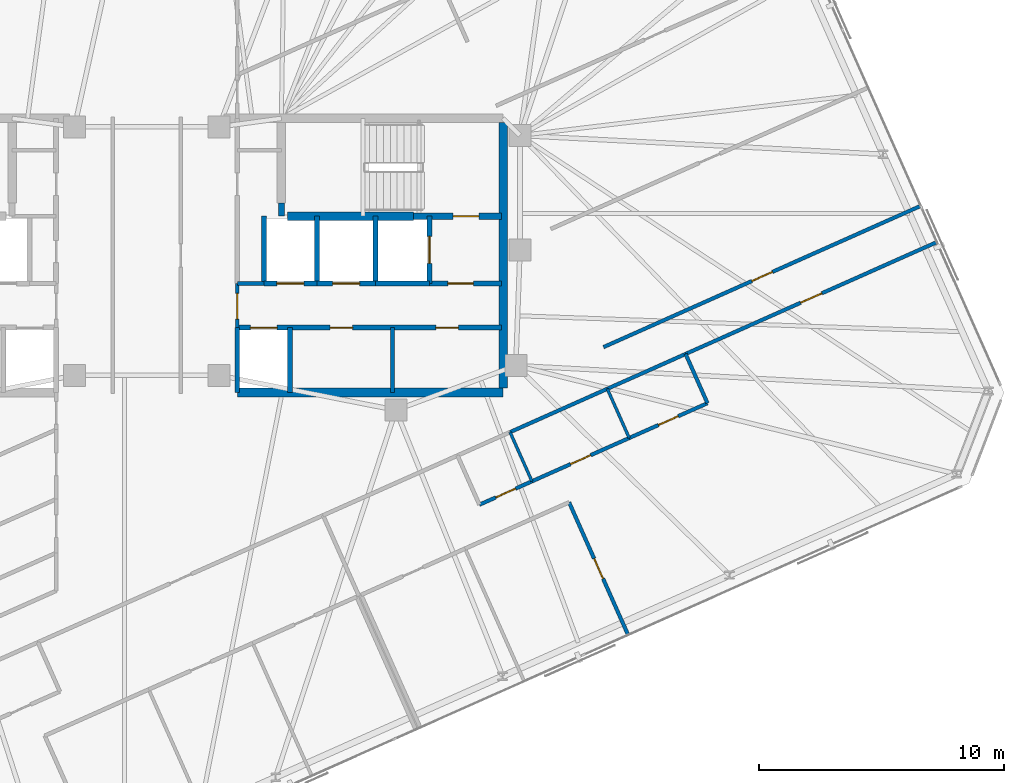
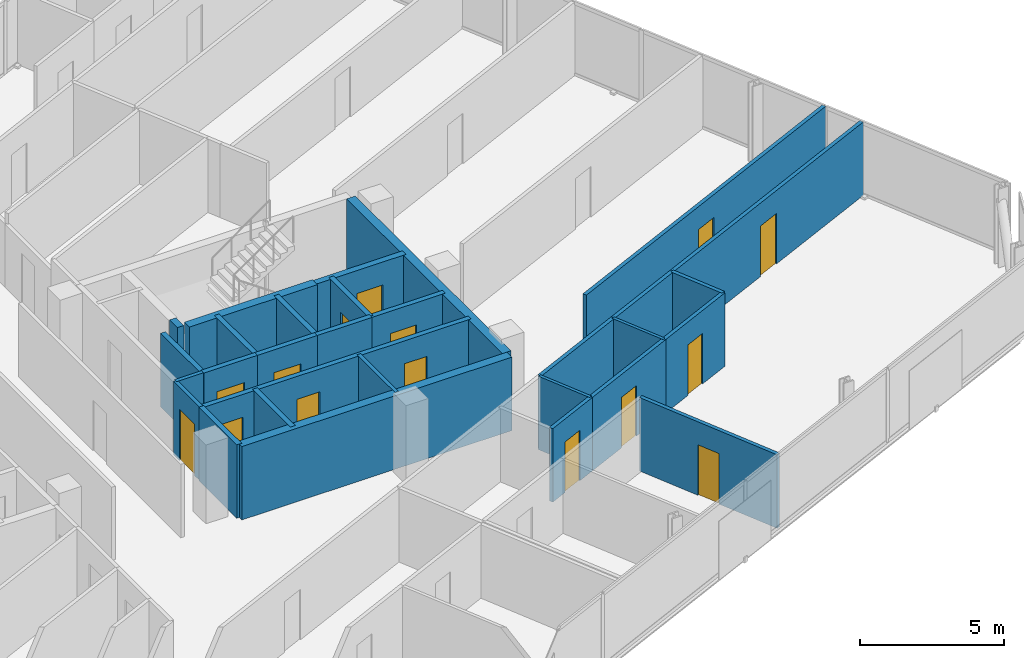
# One storey, part 15 of 19: 30 walls, 15 doors, 15 openings.
"""IFC4 building model written with IfcOpenShell, lengths in metres."""

from ifc_helpers import new_model, si_unit, direction, frame, frame_2d, origin, place, context, subcontext, project, spatial, rectangle, extrude, material, layer, layer_set, type_object, element, fill, save


model = new_model("IFC4")

# Units and contexts
model_context = context("Model", 3, precision=1e-05, world=origin(), true_north=direction((0.0, 1.0)))
body_context = subcontext(model_context, "Body", "Model", "MODEL_VIEW")
ifc_project = project(units=[si_unit("LENGTHUNIT", "METRE"), si_unit("AREAUNIT", "SQUARE_METRE"), si_unit("VOLUMEUNIT", "CUBIC_METRE"), si_unit("PLANEANGLEUNIT", "RADIAN"), si_unit("MASSUNIT", "GRAM", prefix="KILO")], contexts=[model_context])

# Site, building, storey
site_placement = place(None, origin())
site = spatial("IfcSite", under=ifc_project, at=site_placement, CompositionType="ELEMENT")
building_placement = place(site_placement, origin())
building = spatial("IfcBuilding", under=site, at=building_placement, Name="Menara Jurai Vektor", CompositionType="ELEMENT")
storey_placement = place(building_placement, frame((0.0, 0.0, 281.89990234375)))
storey = spatial("IfcBuildingStorey", under=building, at=storey_placement, Name="L75", CompositionType="ELEMENT", Elevation=281.89990234375)

# Wall, opening, door
ifc_material_1 = material(Name="Concrete C40/50", Category="concrete")
ifc_layer_1 = layer(ifc_material_1, 0.25)
ifc_layer_set_1 = layer_set([ifc_layer_1], Name="Concrete C40/50")
wall_type_1 = type_object("IfcWallType", Name="INT-WALL-CORE-250", PredefinedType="STANDARD", material=ifc_layer_set_1)
wall_1_placement = place(storey_placement, frame((10.89990234375, 1.60009765625, 0.0), z_axis=(0.0, 0.0, 1.0), x_axis=(1.0, 0.0, 0.0)))
wall_1 = element("IfcWall", 1, at=wall_1_placement, inside=storey, type_object=wall_type_1, Name="Interior Wall IW-250 L75", PredefinedType="STANDARD", context=body_context, shape_type="SweptSolid", body=[
    extrude(rectangle(XDim=3.60009765625, YDim=0.25, at=frame_2d((1.800048828125, 0.0))), origin(), (0.0, 0.0, 1.0), 3.125),
])
opening_1_placement = place(wall_1_placement, frame((1.6201171875, 0.0, 0.0)))
opening_1 = element("IfcOpeningElement", 2, at=opening_1_placement, cuts=wall_1, Name="Opening D-L75-ST2", PredefinedType="OPENING", context=body_context, shape_type="SweptSolid", body=[
    extrude(rectangle(XDim=1.050048828125, YDim=2.14990234375, at=frame_2d((0.52490234375, 1.074951171875))), frame((0.0, 0.135009765625, 0.0), z_axis=(0.0, -1.0, 0.0), x_axis=(1.0, 0.0, 0.0)), (0.0, 0.0, 1.0), 0.27001953125),
])
ifc_material_2 = material(Name="Fire-Rated Steel Door", Category="steel")
door_type_1 = type_object("IfcDoorType", Name="DR-STAIR-1050", OperationType="NOTDEFINED", PredefinedType="DOOR", material=ifc_material_2)
door_1_placement = place(opening_1_placement, origin())
door_1 = element("IfcDoor", 3, at=door_1_placement, inside=storey, type_object=door_type_1, Name="Exit Stair ST2 Door L75", OperationType="SINGLE_SWING_LEFT", OverallHeight=2.14990234375, OverallWidth=1.050048828125, PredefinedType="DOOR", context=body_context, shape_type="SweptSolid", body=[
    extrude(rectangle(XDim=1.050048828125, YDim=2.14990234375, at=frame_2d((0.52490234375, 1.074951171875))), frame((0.0, 0.02490234375, 0.0), z_axis=(0.0, -1.0, 0.0), x_axis=(1.0, 0.0, 0.0)), (0.0, 0.0, 1.0), 0.050048828125),
])
fill(opening_1, door_1)

# Wall
wall_2_placement = place(storey_placement, frame((5.5, 1.60009765625, 0.0), z_axis=(0.0, 0.0, 1.0), x_axis=(0.0, 1.0, 0.0)))
element("IfcWall", 4, at=wall_2_placement, inside=storey, type_object=wall_type_1, Name="Interior Wall IW-250 L75", PredefinedType="STANDARD", context=body_context, shape_type="SweptSolid", body=[
    extrude(rectangle(XDim=0.5498046875, YDim=0.25, at=frame_2d((0.27490234375, 0.0))), origin(), (0.0, 0.0, 1.0), 3.125),
])

# Wall, opening, door
wall_3_placement = place(storey_placement, frame((11.550048828125, -1.14990234375, 0.0), z_axis=(0.0, 0.0, 1.0), x_axis=(0.0, 1.0, 0.0)))
wall_3 = element("IfcWall", 5, at=wall_3_placement, inside=storey, type_object=wall_type_1, Name="Interior Wall IW-250 L75", PredefinedType="STANDARD", context=body_context, shape_type="SweptSolid", body=[
    extrude(rectangle(XDim=2.75, YDim=0.199951171875, at=frame_2d((1.375, 0.0))), origin(), (0.0, 0.0, 1.0), 3.125),
])
opening_2_placement = place(wall_3_placement, frame((0.824951171875, 0.0, 0.0)))
opening_2 = element("IfcOpeningElement", 6, at=opening_2_placement, cuts=wall_3, Name="Opening LD-L75-FL2", PredefinedType="OPENING", context=body_context, shape_type="SweptSolid", body=[
    extrude(rectangle(XDim=1.10009765625, YDim=2.14990234375, at=frame_2d((0.550048828125, 1.074951171875))), frame((0.0, 0.10986328125, 0.0), z_axis=(0.0, -1.0, 0.0), x_axis=(1.0, 0.0, 0.0)), (0.0, 0.0, 1.0), 0.219970703125),
])
ifc_material_3 = material(Name="Stainless Steel Sliding Lift Landing Door", Category="steel")
door_type_2 = type_object("IfcDoorType", Name="DR-LIFT-FIRE-1100", OperationType="NOTDEFINED", PredefinedType="DOOR", material=ifc_material_3)
door_2_placement = place(opening_2_placement, origin())
door_2 = element("IfcDoor", 7, at=door_2_placement, inside=storey, type_object=door_type_2, Name="Lift Landing Door FL2 L75", OperationType="SLIDING_TO_RIGHT", OverallHeight=2.14990234375, OverallWidth=1.10009765625, PredefinedType="DOOR", context=body_context, shape_type="SweptSolid", body=[
    extrude(rectangle(XDim=1.10009765625, YDim=2.14990234375, at=frame_2d((0.550048828125, 1.074951171875))), frame((0.0, 0.02490234375, 0.0), z_axis=(0.0, -1.0, 0.0), x_axis=(1.0, 0.0, 0.0)), (0.0, 0.0, 1.0), 0.050048828125),
])
fill(opening_2, door_2)

# Wall
wall_4_placement = place(storey_placement, frame((9.35009765625, -1.14990234375, 0.0), z_axis=(0.0, 0.0, 1.0), x_axis=(0.0, 1.0, 0.0)))
element("IfcWall", 8, at=wall_4_placement, inside=storey, type_object=wall_type_1, Name="Interior Wall IW-250 L75", PredefinedType="STANDARD", context=body_context, shape_type="SweptSolid", body=[
    extrude(rectangle(XDim=2.75, YDim=0.199951171875, at=frame_2d((1.375, 0.0))), origin(), (0.0, 0.0, 1.0), 3.125),
])

# Wall, opening, door
wall_5_placement = place(storey_placement, frame((11.550048828125, -1.14990234375, 0.0), z_axis=(0.0, 0.0, 1.0), x_axis=(1.0, 0.0, 0.0)))
wall_5 = element("IfcWall", 9, at=wall_5_placement, inside=storey, type_object=wall_type_1, Name="Interior Wall IW-250 L75", PredefinedType="STANDARD", context=body_context, shape_type="SweptSolid", body=[
    extrude(rectangle(XDim=2.949951171875, YDim=0.199951171875, at=frame_2d((1.47509765625, 0.0))), origin(), (0.0, 0.0, 1.0), 3.125),
])
opening_3_placement = place(wall_5_placement, frame((0.75, 0.0, 0.0)))
opening_3 = element("IfcOpeningElement", 10, at=opening_3_placement, cuts=wall_5, Name="Opening D-L75-FFE", PredefinedType="OPENING", context=body_context, shape_type="SweptSolid", body=[
    extrude(rectangle(XDim=1.050048828125, YDim=2.179931640625, at=frame_2d((0.52490234375, 1.08984375))), frame((0.0, 0.10986328125, 0.0), z_axis=(0.0, -1.0, 0.0), x_axis=(1.0, 0.0, 0.0)), (0.0, 0.0, 1.0), 0.219970703125),
])
ifc_material_4 = material(Name="Fire-Rated Timber Door", Category="wood")
door_type_3 = type_object("IfcDoorType", Name="DR-LOBBY-1050", OperationType="NOTDEFINED", PredefinedType="DOOR", material=ifc_material_4)
door_3_placement = place(opening_3_placement, origin())
door_3 = element("IfcDoor", 11, at=door_3_placement, inside=storey, type_object=door_type_3, Name="Fire Lift Lobby Door E L75", OperationType="SINGLE_SWING_LEFT", OverallHeight=2.179931640625, OverallWidth=1.050048828125, PredefinedType="DOOR", context=body_context, shape_type="SweptSolid", body=[
    extrude(rectangle(XDim=1.050048828125, YDim=2.179931640625, at=frame_2d((0.52490234375, 1.08984375))), frame((0.0, 0.02490234375, 0.0), z_axis=(0.0, -1.0, 0.0), x_axis=(1.0, 0.0, 0.0)), (0.0, 0.0, 1.0), 0.050048828125),
])
fill(opening_3, door_3)

# Wall
wall_6_placement = place(storey_placement, frame((9.35009765625, -1.14990234375, 0.0), z_axis=(0.0, 0.0, 1.0), x_axis=(1.0, 0.0, 0.0)))
element("IfcWall", 12, at=wall_6_placement, inside=storey, type_object=wall_type_1, Name="Interior Wall IW-250 L75", PredefinedType="STANDARD", context=body_context, shape_type="SweptSolid", body=[
    extrude(rectangle(XDim=2.199951171875, YDim=0.199951171875, at=frame_2d((1.10009765625, 0.0))), origin(), (0.0, 0.0, 1.0), 3.125),
])

# Wall, opening, door
ifc_material_5 = material(Name="Gypsum Fireboard Partition", Category="gypsum")
ifc_layer_2 = layer(ifc_material_5, 0.14990234375)
ifc_layer_set_2 = layer_set([ifc_layer_2], Name="Gypsum Fireboard Partition")
wall_type_2 = type_object("IfcWallType", Name="INT-WALL-CORR-150", PredefinedType="PARTITIONING", material=ifc_layer_set_2)
wall_7_placement = place(storey_placement, frame((3.699951171875, -2.949951171875, 0.0), z_axis=(0.0, 0.0, 1.0), x_axis=(0.0, 1.0, 0.0)))
wall_7 = element("IfcWall", 13, at=wall_7_placement, inside=storey, type_object=wall_type_2, Name="Interior Wall IW-150 L75", PredefinedType="PARTITIONING", context=body_context, shape_type="SweptSolid", body=[
    extrude(rectangle(XDim=1.800048828125, YDim=0.14990234375, at=frame_2d((0.89990234375, 0.0))), origin(), (0.0, 0.0, 1.0), 3.125),
])
opening_4_placement = place(wall_7_placement, frame((0.35009765625, 0.0, 0.0)))
opening_4 = element("IfcOpeningElement", 14, at=opening_4_placement, cuts=wall_7, Name="Opening D-L75-LLE", PredefinedType="OPENING", context=body_context, shape_type="SweptSolid", body=[
    extrude(rectangle(XDim=1.050048828125, YDim=2.179931640625, at=frame_2d((0.52490234375, 1.08984375))), frame((0.0, 0.0849609375, 0.0), z_axis=(0.0, -1.0, 0.0), x_axis=(1.0, 0.0, 0.0)), (0.0, 0.0, 1.0), 0.169921875),
])
door_4_placement = place(opening_4_placement, frame((1.050048828125, 0.0, 0.0), z_axis=(0.0, 0.0, 1.0), x_axis=(-1.0, 0.0, 0.0)))
door_4 = element("IfcDoor", 15, at=door_4_placement, inside=storey, type_object=door_type_3, Name="Lift Lobby Corridor Door E L75", OperationType="SINGLE_SWING_RIGHT", OverallHeight=2.179931640625, OverallWidth=1.050048828125, PredefinedType="DOOR", context=body_context, shape_type="SweptSolid", body=[
    extrude(rectangle(XDim=1.050048828125, YDim=2.179931640625, at=frame_2d((0.52490234375, 1.08984375))), frame((0.0, 0.02490234375, 0.0), z_axis=(0.0, -1.0, 0.0), x_axis=(1.0, 0.0, 0.0)), (0.0, 0.0, 1.0), 0.050048828125),
])
fill(opening_4, door_4)

# Walls
wall_8_placement = place(storey_placement, frame((3.699951171875, -1.14990234375, 0.0), z_axis=(0.0, 0.0, 1.0), x_axis=(1.0, 0.0, 0.0)))
element("IfcWall", 16, at=wall_8_placement, inside=storey, type_object=wall_type_2, Name="Interior Wall IW-150 L75", PredefinedType="PARTITIONING", context=body_context, shape_type="SweptSolid", body=[
    extrude(rectangle(XDim=1.090087890625, YDim=0.14990234375, at=frame_2d((0.544921875, 0.0))), origin(), (0.0, 0.0, 1.0), 3.125),
])
wall_9_placement = place(storey_placement, frame((10.0400390625, -5.60009765625, 0.0), z_axis=(0.0, 0.0, 1.0), x_axis=(0.0, 1.0, 0.0)))
element("IfcWall", 17, at=wall_9_placement, inside=storey, type_object=wall_type_2, Name="Interior Wall IW-150 L75", PredefinedType="PARTITIONING", context=body_context, shape_type="SweptSolid", body=[
    extrude(rectangle(XDim=2.650146484375, YDim=0.14990234375, at=frame_2d((1.3251953125, 0.0))), origin(), (0.0, 0.0, 1.0), 3.125),
])

# Wall, opening, door
wall_10_placement = place(storey_placement, frame((22.015625, -4.027099609375, 0.0), z_axis=(0.0, 0.0, 1.0), x_axis=(0.913548968583, 0.406728757282, 0.0)))
wall_10 = element("IfcWall", 18, at=wall_10_placement, inside=storey, type_object=wall_type_2, Name="Interior Wall IW-150 L75", PredefinedType="PARTITIONING", context=body_context, shape_type="SweptSolid", body=[
    extrude(rectangle(XDim=11.2421875, YDim=0.14990234375, at=frame_2d((5.62109375, 0.0))), origin(), (0.0, 0.0, 1.0), 3.125),
])
opening_5_placement = place(wall_10_placement, frame((5.14599609375, 0.0, 0.0)))
opening_5 = element("IfcOpeningElement", 19, at=opening_5_placement, cuts=wall_10, Name="Opening D75-19", PredefinedType="OPENING", context=body_context, shape_type="SweptSolid", body=[
    extrude(rectangle(XDim=0.949951171875, YDim=2.14990234375, at=frame_2d((0.47509765625, 1.074951171875))), frame((0.0, 0.0849609375, 0.0), z_axis=(0.0, -1.0, 0.0), x_axis=(1.0, 0.0, 0.0)), (0.0, 0.0, 1.0), 0.169921875),
])
ifc_material_6 = material(Name="Solid Core Timber Fire Door", Category="wood")
door_type_4 = type_object("IfcDoorType", Name="DR-ENTRY-950", OperationType="NOTDEFINED", PredefinedType="DOOR", material=ifc_material_6)
door_5_placement = place(opening_5_placement, origin())
door_5 = element("IfcDoor", 20, at=door_5_placement, inside=storey, type_object=door_type_4, Name="Interior Door D75-19", OperationType="SINGLE_SWING_RIGHT", OverallHeight=2.14990234375, OverallWidth=0.949951171875, PredefinedType="DOOR", context=body_context, shape_type="SweptSolid", body=[
    extrude(rectangle(XDim=0.949951171875, YDim=2.14990234375, at=frame_2d((0.47509765625, 1.074951171875))), frame((0.0, 0.02490234375, 0.0), z_axis=(0.0, -1.0, 0.0), x_axis=(1.0, 0.0, 0.0)), (0.0, 0.0, 1.0), 0.050048828125),
])
fill(opening_5, door_5)

# Walls
wall_11_placement = place(storey_placement, frame((14.844482421875, -7.22021484375, 0.0), z_axis=(0.0, 0.0, 1.0), x_axis=(0.913524337797, 0.406784075711, 0.0)))
element("IfcWall", 21, at=wall_11_placement, inside=storey, type_object=wall_type_2, Name="Interior Wall IW-150 L75", PredefinedType="PARTITIONING", context=body_context, shape_type="SweptSolid", body=[
    extrude(rectangle(XDim=4.35009765625, YDim=0.14990234375, at=frame_2d((2.175048828125, 0.0))), origin(), (0.0, 0.0, 1.0), 3.125),
])
wall_12_placement = place(storey_placement, frame((18.818359375, -5.45068359375, 0.0), z_axis=(0.0, 0.0, 1.0), x_axis=(0.913538066796, 0.406753242783, 0.0)))
element("IfcWall", 22, at=wall_12_placement, inside=storey, type_object=wall_type_2, Name="Interior Wall IW-150 L75", PredefinedType="PARTITIONING", context=body_context, shape_type="SweptSolid", body=[
    extrude(rectangle(XDim=3.499755859375, YDim=0.14990234375, at=frame_2d((1.75, 0.0))), origin(), (0.0, 0.0, 1.0), 3.125),
])

# Wall, opening, door
wall_13_placement = place(storey_placement, frame((18.661865234375, -3.747314453125, 0.0), z_axis=(0.0, 0.0, 1.0), x_axis=(0.913544622417, 0.406738519018, 0.0)))
wall_13 = element("IfcWall", 23, at=wall_13_placement, inside=storey, type_object=wall_type_2, Name="Interior Wall IW-150 L75", PredefinedType="PARTITIONING", context=body_context, shape_type="SweptSolid", body=[
    extrude(rectangle(XDim=14.192138671875, YDim=0.14990234375, at=frame_2d((7.09619140625, 0.0))), origin(), (0.0, 0.0, 1.0), 3.125),
])
opening_6_placement = place(wall_13_placement, frame((6.635986328125, 0.0, 0.0)))
opening_6 = element("IfcOpeningElement", 24, at=opening_6_placement, cuts=wall_13, Name="Opening D75-42", PredefinedType="OPENING", context=body_context, shape_type="SweptSolid", body=[
    extrude(rectangle(XDim=0.919921875, YDim=2.14990234375, at=frame_2d((0.4599609375, 1.074951171875))), frame((0.0, 0.0849609375, 0.0), z_axis=(0.0, -1.0, 0.0), x_axis=(1.0, 0.0, 0.0)), (0.0, 0.0, 1.0), 0.169921875),
])
door_6_placement = place(opening_6_placement, origin())
door_6 = element("IfcDoor", 25, at=door_6_placement, inside=storey, type_object=door_type_4, Name="Interior Door D75-42", OperationType="SINGLE_SWING_LEFT", OverallHeight=2.14990234375, OverallWidth=0.919921875, PredefinedType="DOOR", context=body_context, shape_type="SweptSolid", body=[
    extrude(rectangle(XDim=0.919921875, YDim=2.14990234375, at=frame_2d((0.4599609375, 1.074951171875))), frame((0.0, 0.02490234375, 0.0), z_axis=(0.0, -1.0, 0.0), x_axis=(1.0, 0.0, 0.0)), (0.0, 0.0, 1.0), 0.050048828125),
])
fill(opening_6, door_6)

wall_14_placement = place(storey_placement, frame((13.59228515625, -10.185791015625, 0.0), z_axis=(0.0, 0.0, 1.0), x_axis=(0.913558622212, 0.406707073682, 0.0)))
wall_14 = element("IfcWall", 26, at=wall_14_placement, inside=storey, type_object=wall_type_2, Name="Interior Wall IW-150 L75", PredefinedType="PARTITIONING", context=body_context, shape_type="SweptSolid", body=[
    extrude(rectangle(XDim=2.35009765625, YDim=0.14990234375, at=frame_2d((1.175048828125, 0.0))), origin(), (0.0, 0.0, 1.0), 3.125),
])
opening_7_placement = place(wall_14_placement, frame((0.735107421875, 0.0, 0.0)))
opening_7 = element("IfcOpeningElement", 27, at=opening_7_placement, cuts=wall_14, Name="Opening D75-20", PredefinedType="OPENING", context=body_context, shape_type="SweptSolid", body=[
    extrude(rectangle(XDim=0.8798828125, YDim=2.14990234375, at=frame_2d((0.43994140625, 1.074951171875))), frame((0.0, 0.0849609375, 0.0), z_axis=(0.0, -1.0, 0.0), x_axis=(1.0, 0.0, 0.0)), (0.0, 0.0, 1.0), 0.169921875),
])
ifc_material_7 = material(Name="Moisture-Resistant Timber Door", Category="wood")
door_type_5 = type_object("IfcDoorType", Name="DR-BATH-880", OperationType="NOTDEFINED", PredefinedType="DOOR", material=ifc_material_7)
door_7_placement = place(opening_7_placement, origin())
door_7 = element("IfcDoor", 28, at=door_7_placement, inside=storey, type_object=door_type_5, Name="Interior Door D75-20", OperationType="SINGLE_SWING_LEFT", OverallHeight=2.14990234375, OverallWidth=0.8798828125, PredefinedType="DOOR", context=body_context, shape_type="SweptSolid", body=[
    extrude(rectangle(XDim=0.8798828125, YDim=2.14990234375, at=frame_2d((0.43994140625, 1.074951171875))), frame((0.0, 0.02490234375, 0.0), z_axis=(0.0, -1.0, 0.0), x_axis=(1.0, 0.0, 0.0)), (0.0, 0.0, 1.0), 0.050048828125),
])
fill(opening_7, door_7)

wall_15_placement = place(storey_placement, frame((15.7392578125, -9.22998046875, 0.0), z_axis=(0.0, 0.0, 1.0), x_axis=(0.913545193015, 0.406737237438, 0.0)))
wall_15 = element("IfcWall", 29, at=wall_15_placement, inside=storey, type_object=wall_type_2, Name="Interior Wall IW-150 L75", PredefinedType="PARTITIONING", context=body_context, shape_type="SweptSolid", body=[
    extrude(rectangle(XDim=4.349853515625, YDim=0.14990234375, at=frame_2d((2.1748046875, 0.0))), origin(), (0.0, 0.0, 1.0), 3.125),
])
opening_8_placement = place(wall_15_placement, frame((1.72509765625, 0.0, 0.0)))
opening_8 = element("IfcOpeningElement", 30, at=opening_8_placement, cuts=wall_15, Name="Opening D75-21", PredefinedType="OPENING", context=body_context, shape_type="SweptSolid", body=[
    extrude(rectangle(XDim=0.89990234375, YDim=2.14990234375, at=frame_2d((0.449951171875, 1.074951171875))), frame((0.0, 0.0849609375, 0.0), z_axis=(0.0, -1.0, 0.0), x_axis=(1.0, 0.0, 0.0)), (0.0, 0.0, 1.0), 0.169921875),
])
ifc_material_8 = material(Name="Acoustic Timber Interior Door", Category="wood")
door_type_6 = type_object("IfcDoorType", Name="DR-ROOM-900", OperationType="NOTDEFINED", PredefinedType="DOOR", material=ifc_material_8)
door_8_placement = place(opening_8_placement, origin())
door_8 = element("IfcDoor", 31, at=door_8_placement, inside=storey, type_object=door_type_6, Name="Interior Door D75-21", OperationType="SINGLE_SWING_RIGHT", OverallHeight=2.14990234375, OverallWidth=0.89990234375, PredefinedType="DOOR", context=body_context, shape_type="SweptSolid", body=[
    extrude(rectangle(XDim=0.89990234375, YDim=2.14990234375, at=frame_2d((0.449951171875, 1.074951171875))), frame((0.0, 0.02490234375, 0.0), z_axis=(0.0, -1.0, 0.0), x_axis=(1.0, 0.0, 0.0)), (0.0, 0.0, 1.0), 0.050048828125),
])
fill(opening_8, door_8)

wall_16_placement = place(storey_placement, frame((19.713134765625, -7.460693359375, 0.0), z_axis=(0.0, 0.0, 1.0), x_axis=(0.913549606868, 0.406727323635, 0.0)))
wall_16 = element("IfcWall", 32, at=wall_16_placement, inside=storey, type_object=wall_type_2, Name="Interior Wall IW-150 L75", PredefinedType="PARTITIONING", context=body_context, shape_type="SweptSolid", body=[
    extrude(rectangle(XDim=3.5, YDim=0.14990234375, at=frame_2d((1.75, 0.0))), origin(), (0.0, 0.0, 1.0), 3.125),
])
opening_9_placement = place(wall_16_placement, frame((1.31005859375, 0.0, 0.0)))
opening_9 = element("IfcOpeningElement", 33, at=opening_9_placement, cuts=wall_16, Name="Opening D75-22", PredefinedType="OPENING", context=body_context, shape_type="SweptSolid", body=[
    extrude(rectangle(XDim=0.8798828125, YDim=2.14990234375, at=frame_2d((0.43994140625, 1.074951171875))), frame((0.0, 0.0849609375, 0.0), z_axis=(0.0, -1.0, 0.0), x_axis=(1.0, 0.0, 0.0)), (0.0, 0.0, 1.0), 0.169921875),
])
door_9_placement = place(opening_9_placement, origin())
door_9 = element("IfcDoor", 34, at=door_9_placement, inside=storey, type_object=door_type_5, Name="Interior Door D75-22", OperationType="SINGLE_SWING_LEFT", OverallHeight=2.14990234375, OverallWidth=0.8798828125, PredefinedType="DOOR", context=body_context, shape_type="SweptSolid", body=[
    extrude(rectangle(XDim=0.8798828125, YDim=2.14990234375, at=frame_2d((0.43994140625, 1.074951171875))), frame((0.0, 0.02490234375, 0.0), z_axis=(0.0, -1.0, 0.0), x_axis=(1.0, 0.0, 0.0)), (0.0, 0.0, 1.0), 0.050048828125),
])
fill(opening_9, door_9)

# Wall
wall_17_placement = place(storey_placement, frame((22.91064453125, -6.037109375, 0.0), z_axis=(0.0, 0.0, 1.0), x_axis=(-0.40677666873, 0.913527636022, 0.0)))
element("IfcWall", 35, at=wall_17_placement, inside=storey, type_object=wall_type_2, Name="Interior Wall IW-150 L75", PredefinedType="PARTITIONING", context=body_context, shape_type="SweptSolid", body=[
    extrude(rectangle(XDim=2.2001953125, YDim=0.14990234375, at=frame_2d((1.10009765625, 0.0))), origin(), (0.0, 0.0, 1.0), 3.125),
])

# Wall, opening, door
wall_18_placement = place(storey_placement, frame((19.669189453125, -15.509521484375, 0.0), z_axis=(0.0, 0.0, 1.0), x_axis=(-0.406733763825, 0.913546739562, 0.0)))
wall_18 = element("IfcWall", 36, at=wall_18_placement, inside=storey, type_object=wall_type_2, Name="Interior Wall IW-150 L75", PredefinedType="PARTITIONING", context=body_context, shape_type="SweptSolid", body=[
    extrude(rectangle(XDim=5.935302734375, YDim=0.14990234375, at=frame_2d((2.9677734375, 0.0))), origin(), (0.0, 0.0, 1.0), 3.125),
])
opening_10_placement = place(wall_18_placement, frame((2.517578125, 0.0, 0.0)))
opening_10 = element("IfcOpeningElement", 37, at=opening_10_placement, cuts=wall_18, Name="Opening D75-24", PredefinedType="OPENING", context=body_context, shape_type="SweptSolid", body=[
    extrude(rectangle(XDim=0.89990234375, YDim=2.14990234375, at=frame_2d((0.449951171875, 1.074951171875))), frame((0.0, 0.0849609375, 0.0), z_axis=(0.0, -1.0, 0.0), x_axis=(1.0, 0.0, 0.0)), (0.0, 0.0, 1.0), 0.169921875),
])
door_10_placement = place(opening_10_placement, origin())
door_10 = element("IfcDoor", 38, at=door_10_placement, inside=storey, type_object=door_type_6, Name="Interior Door D75-24", OperationType="SINGLE_SWING_LEFT", OverallHeight=2.14990234375, OverallWidth=0.89990234375, PredefinedType="DOOR", context=body_context, shape_type="SweptSolid", body=[
    extrude(rectangle(XDim=0.89990234375, YDim=2.14990234375, at=frame_2d((0.449951171875, 1.074951171875))), frame((0.0, 0.02490234375, 0.0), z_axis=(0.0, -1.0, 0.0), x_axis=(1.0, 0.0, 0.0)), (0.0, 0.0, 1.0), 0.050048828125),
])
fill(opening_10, door_10)

# Walls
ifc_material_9 = material(Name="Gypsum Acoustic Stud Partition", Category="gypsum")
ifc_layer_3 = layer(ifc_material_9, 0.1201171875)
ifc_layer_set_3 = layer_set([ifc_layer_3], Name="Gypsum Acoustic Stud Partition")
wall_type_3 = type_object("IfcWallType", Name="INT-WALL-PART-120", PredefinedType="PARTITIONING", material=ifc_layer_set_3)
wall_19_placement = place(storey_placement, frame((15.7392578125, -9.22998046875, 0.0), z_axis=(0.0, 0.0, 1.0), x_axis=(-0.406725294076, 0.913550510459, 0.0)))
element("IfcWall", 39, at=wall_19_placement, inside=storey, type_object=wall_type_3, Name="Interior Wall IW-120 L75", PredefinedType="PARTITIONING", context=body_context, shape_type="SweptSolid", body=[
    extrude(rectangle(XDim=2.199951171875, YDim=0.1201171875, at=frame_2d((1.10009765625, 0.0))), origin(), (0.0, 0.0, 1.0), 3.125),
])
wall_20_placement = place(storey_placement, frame((19.713134765625, -7.460693359375, 0.0), z_axis=(0.0, 0.0, 1.0), x_axis=(-0.406684063321, 0.913568865845, 0.0)))
element("IfcWall", 40, at=wall_20_placement, inside=storey, type_object=wall_type_3, Name="Interior Wall IW-120 L75", PredefinedType="PARTITIONING", context=body_context, shape_type="SweptSolid", body=[
    extrude(rectangle(XDim=2.2001953125, YDim=0.1201171875, at=frame_2d((1.10009765625, 0.0))), origin(), (0.0, 0.0, 1.0), 3.125),
])
ifc_layer_4 = layer(ifc_material_1, 0.199951171875)
ifc_layer_set_4 = layer_set([ifc_layer_4], Name="Concrete C40/50")
wall_type_4 = type_object("IfcWallType", Name="INT-WALL-SHAFT-200", PredefinedType="STANDARD", material=ifc_layer_set_4)
wall_21_placement = place(storey_placement, frame((3.699951171875, -5.60009765625, 0.0), z_axis=(0.0, 0.0, 1.0), x_axis=(0.0, 1.0, 0.0)))
element("IfcWall", 41, at=wall_21_placement, inside=storey, type_object=wall_type_4, Name="Interior Wall IW-200 L75", PredefinedType="STANDARD", context=body_context, shape_type="SweptSolid", body=[
    extrude(rectangle(XDim=2.650146484375, YDim=0.199951171875, at=frame_2d((1.3251953125, 0.0))), origin(), (0.0, 0.0, 1.0), 3.125),
])
wall_22_placement = place(storey_placement, frame((6.949951171875, -1.14990234375, 0.0), z_axis=(0.0, 0.0, 1.0), x_axis=(0.0, 1.0, 0.0)))
element("IfcWall", 42, at=wall_22_placement, inside=storey, type_object=wall_type_4, Name="Interior Wall IW-200 L75", PredefinedType="STANDARD", context=body_context, shape_type="SweptSolid", body=[
    extrude(rectangle(XDim=2.75, YDim=0.199951171875, at=frame_2d((1.375, 0.0))), origin(), (0.0, 0.0, 1.0), 3.125),
])

# Wall, opening, door
wall_23_placement = place(storey_placement, frame((6.949951171875, -1.14990234375, 0.0), z_axis=(0.0, 0.0, 1.0), x_axis=(1.0, 0.0, 0.0)))
wall_23 = element("IfcWall", 43, at=wall_23_placement, inside=storey, type_object=wall_type_4, Name="Interior Wall IW-200 L75", PredefinedType="STANDARD", context=body_context, shape_type="SweptSolid", body=[
    extrude(rectangle(XDim=2.400146484375, YDim=0.199951171875, at=frame_2d((1.2001953125, 0.0))), origin(), (0.0, 0.0, 1.0), 3.125),
])
opening_11_placement = place(wall_23_placement, frame((0.64990234375, 0.0, 0.0)))
opening_11 = element("IfcOpeningElement", 44, at=opening_11_placement, cuts=wall_23, Name="Opening LD-L75-SVL2", PredefinedType="OPENING", context=body_context, shape_type="SweptSolid", body=[
    extrude(rectangle(XDim=1.10009765625, YDim=2.14990234375, at=frame_2d((0.550048828125, 1.074951171875))), frame((0.0, 0.10986328125, 0.0), z_axis=(0.0, -1.0, 0.0), x_axis=(1.0, 0.0, 0.0)), (0.0, 0.0, 1.0), 0.219970703125),
])
ifc_material_10 = material(Name="Anodised Stainless Sliding Lift Landing Door", Category="steel")
door_type_7 = type_object("IfcDoorType", Name="DR-LIFT-PASS-1100", OperationType="NOTDEFINED", PredefinedType="DOOR", material=ifc_material_10)
door_11_placement = place(opening_11_placement, origin())
door_11 = element("IfcDoor", 45, at=door_11_placement, inside=storey, type_object=door_type_7, Name="Lift Landing Door SVL2 L75", OperationType="SLIDING_TO_RIGHT", OverallHeight=2.14990234375, OverallWidth=1.10009765625, PredefinedType="DOOR", context=body_context, shape_type="SweptSolid", body=[
    extrude(rectangle(XDim=1.10009765625, YDim=2.14990234375, at=frame_2d((0.550048828125, 1.074951171875))), frame((0.0, 0.02490234375, 0.0), z_axis=(0.0, -1.0, 0.0), x_axis=(1.0, 0.0, 0.0)), (0.0, 0.0, 1.0), 0.050048828125),
])
fill(opening_11, door_11)

# Wall
wall_24_placement = place(storey_placement, frame((4.7900390625, -1.14990234375, 0.0), z_axis=(0.0, 0.0, 1.0), x_axis=(0.0, 1.0, 0.0)))
element("IfcWall", 46, at=wall_24_placement, inside=storey, type_object=wall_type_4, Name="Interior Wall IW-200 L75", PredefinedType="STANDARD", context=body_context, shape_type="SweptSolid", body=[
    extrude(rectangle(XDim=2.75, YDim=0.199951171875, at=frame_2d((1.375, 0.0))), origin(), (0.0, 0.0, 1.0), 3.125),
])

# Wall, opening, door
wall_25_placement = place(storey_placement, frame((4.7900390625, -1.14990234375, 0.0), z_axis=(0.0, 0.0, 1.0), x_axis=(1.0, 0.0, 0.0)))
wall_25 = element("IfcWall", 47, at=wall_25_placement, inside=storey, type_object=wall_type_4, Name="Interior Wall IW-200 L75", PredefinedType="STANDARD", context=body_context, shape_type="SweptSolid", body=[
    extrude(rectangle(XDim=2.159912109375, YDim=0.199951171875, at=frame_2d((1.080078125, 0.0))), origin(), (0.0, 0.0, 1.0), 3.125),
])
opening_12_placement = place(wall_25_placement, frame((0.530029296875, 0.0, 0.0)))
opening_12 = element("IfcOpeningElement", 48, at=opening_12_placement, cuts=wall_25, Name="Opening LD-L75-PH4", PredefinedType="OPENING", context=body_context, shape_type="SweptSolid", body=[
    extrude(rectangle(XDim=1.10009765625, YDim=2.14990234375, at=frame_2d((0.550048828125, 1.074951171875))), frame((0.0, 0.10986328125, 0.0), z_axis=(0.0, -1.0, 0.0), x_axis=(1.0, 0.0, 0.0)), (0.0, 0.0, 1.0), 0.219970703125),
])
door_12_placement = place(opening_12_placement, origin())
door_12 = element("IfcDoor", 49, at=door_12_placement, inside=storey, type_object=door_type_7, Name="Lift Landing Door PH4 L75", OperationType="SLIDING_TO_LEFT", OverallHeight=2.14990234375, OverallWidth=1.10009765625, PredefinedType="DOOR", context=body_context, shape_type="SweptSolid", body=[
    extrude(rectangle(XDim=1.10009765625, YDim=2.14990234375, at=frame_2d((0.550048828125, 1.074951171875))), frame((0.0, 0.02490234375, 0.0), z_axis=(0.0, -1.0, 0.0), x_axis=(1.0, 0.0, 0.0)), (0.0, 0.0, 1.0), 0.050048828125),
])
fill(opening_12, door_12)

# Wall, openings, doors
wall_26_placement = place(storey_placement, frame((3.699951171875, -2.949951171875, 0.0), z_axis=(0.0, 0.0, 1.0), x_axis=(1.0, 0.0, 0.0)))
wall_26 = element("IfcWall", 50, at=wall_26_placement, inside=storey, type_object=wall_type_4, Name="Interior Wall IW-200 L75", PredefinedType="STANDARD", context=body_context, shape_type="SweptSolid", body=[
    extrude(rectangle(XDim=10.800048828125, YDim=0.199951171875, at=frame_2d((5.39990234375, 0.0))), origin(), (0.0, 0.0, 1.0), 3.125),
])
opening_13_placement = place(wall_26_placement, frame((0.530029296875, 0.0, 0.0)))
opening_13 = element("IfcOpeningElement", 51, at=opening_13_placement, cuts=wall_26, Name="Opening LD-L75-PH3", PredefinedType="OPENING", context=body_context, shape_type="SweptSolid", body=[
    extrude(rectangle(XDim=1.10009765625, YDim=2.14990234375, at=frame_2d((0.550048828125, 1.074951171875))), frame((0.0, 0.10986328125, 0.0), z_axis=(0.0, -1.0, 0.0), x_axis=(1.0, 0.0, 0.0)), (0.0, 0.0, 1.0), 0.219970703125),
])
opening_14_placement = place(wall_26_placement, frame((3.7900390625, 0.0, 0.0)))
opening_14 = element("IfcOpeningElement", 52, at=opening_14_placement, cuts=wall_26, Name="Opening D75-05", PredefinedType="OPENING", context=body_context, shape_type="SweptSolid", body=[
    extrude(rectangle(XDim=0.919921875, YDim=2.14990234375, at=frame_2d((0.4599609375, 1.074951171875))), frame((0.0, 0.10986328125, 0.0), z_axis=(0.0, -1.0, 0.0), x_axis=(1.0, 0.0, 0.0)), (0.0, 0.0, 1.0), 0.219970703125),
])
opening_15_placement = place(wall_26_placement, frame((8.110107421875, 0.0, 0.0)))
opening_15 = element("IfcOpeningElement", 53, at=opening_15_placement, cuts=wall_26, Name="Opening D75-06", PredefinedType="OPENING", context=body_context, shape_type="SweptSolid", body=[
    extrude(rectangle(XDim=0.919921875, YDim=2.14990234375, at=frame_2d((0.4599609375, 1.074951171875))), frame((0.0, 0.10986328125, 0.0), z_axis=(0.0, -1.0, 0.0), x_axis=(1.0, 0.0, 0.0)), (0.0, 0.0, 1.0), 0.219970703125),
])
door_13_placement = place(opening_14_placement, origin())
door_13 = element("IfcDoor", 54, at=door_13_placement, inside=storey, type_object=door_type_4, Name="Interior Door D75-05", OperationType="SINGLE_SWING_LEFT", OverallHeight=2.14990234375, OverallWidth=0.919921875, PredefinedType="DOOR", context=body_context, shape_type="SweptSolid", body=[
    extrude(rectangle(XDim=0.919921875, YDim=2.14990234375, at=frame_2d((0.4599609375, 1.074951171875))), frame((0.0, 0.02490234375, 0.0), z_axis=(0.0, -1.0, 0.0), x_axis=(1.0, 0.0, 0.0)), (0.0, 0.0, 1.0), 0.050048828125),
])
fill(opening_14, door_13)
door_14_placement = place(opening_15_placement, origin())
door_14 = element("IfcDoor", 55, at=door_14_placement, inside=storey, type_object=door_type_4, Name="Interior Door D75-06", OperationType="SINGLE_SWING_RIGHT", OverallHeight=2.14990234375, OverallWidth=0.919921875, PredefinedType="DOOR", context=body_context, shape_type="SweptSolid", body=[
    extrude(rectangle(XDim=0.919921875, YDim=2.14990234375, at=frame_2d((0.4599609375, 1.074951171875))), frame((0.0, 0.02490234375, 0.0), z_axis=(0.0, -1.0, 0.0), x_axis=(1.0, 0.0, 0.0)), (0.0, 0.0, 1.0), 0.050048828125),
])
fill(opening_15, door_14)
door_15_placement = place(opening_13_placement, origin())
door_15 = element("IfcDoor", 56, at=door_15_placement, inside=storey, type_object=door_type_7, Name="Lift Landing Door PH3 L75", OperationType="SLIDING_TO_RIGHT", OverallHeight=2.14990234375, OverallWidth=1.10009765625, PredefinedType="DOOR", context=body_context, shape_type="SweptSolid", body=[
    extrude(rectangle(XDim=1.10009765625, YDim=2.14990234375, at=frame_2d((0.550048828125, 1.074951171875))), frame((0.0, 0.02490234375, 0.0), z_axis=(0.0, -1.0, 0.0), x_axis=(1.0, 0.0, 0.0)), (0.0, 0.0, 1.0), 0.050048828125),
])
fill(opening_13, door_15)

# Walls
wall_27_placement = place(storey_placement, frame((5.860107421875, -5.60009765625, 0.0), z_axis=(0.0, 0.0, 1.0), x_axis=(0.0, 1.0, 0.0)))
element("IfcWall", 57, at=wall_27_placement, inside=storey, type_object=wall_type_4, Name="Interior Wall IW-200 L75", PredefinedType="STANDARD", context=body_context, shape_type="SweptSolid", body=[
    extrude(rectangle(XDim=2.650146484375, YDim=0.199951171875, at=frame_2d((1.3251953125, 0.0))), origin(), (0.0, 0.0, 1.0), 3.125),
])
ifc_material_11 = material(Name="Concrete C50/60", Category="concrete")
ifc_layer_5 = layer(ifc_material_11, 0.35009765625)
ifc_layer_set_5 = layer_set([ifc_layer_5], Name="Concrete C50/60")
wall_type_5 = type_object("IfcWallType", Name="STR-WALL-CORE350", PredefinedType="SHEAR", material=ifc_layer_set_5)
wall_28_placement = place(storey_placement, frame((3.699951171875, -5.60009765625, 0.0), z_axis=(0.0, 0.0, 1.0), x_axis=(1.0, 0.0, 0.0)))
element("IfcWall", 58, at=wall_28_placement, inside=storey, type_object=wall_type_5, Name="Core Shear Wall CW-E-S L75", PredefinedType="SHEAR", context=body_context, shape_type="SweptSolid", body=[
    extrude(rectangle(XDim=10.860107421875, YDim=0.35009765625, at=frame_2d((5.43017578125, 0.0))), origin(), (0.0, 0.0, 1.0), 3.125),
])
wall_29_placement = place(storey_placement, frame((14.56005859375, -5.425048828125, 0.0), z_axis=(0.0, 0.0, 1.0), x_axis=(0.0, 1.0, 0.0)))
element("IfcWall", 59, at=wall_29_placement, inside=storey, type_object=wall_type_5, Name="Core Shear Wall CW-E-E L75", PredefinedType="SHEAR", context=body_context, shape_type="SweptSolid", body=[
    extrude(rectangle(XDim=10.85009765625, YDim=0.35009765625, at=frame_2d((5.425048828125, 0.0))), origin(), (0.0, 0.0, 1.0), 3.125),
])
wall_30_placement = place(storey_placement, frame((5.75, 1.60009765625, 0.0), z_axis=(0.0, 0.0, 1.0), x_axis=(1.0, 0.0, 0.0)))
element("IfcWall", 60, at=wall_30_placement, inside=storey, type_object=wall_type_5, Name="Core Shear Wall CW-E-STS L75", PredefinedType="SHEAR", context=body_context, shape_type="SweptSolid", body=[
    extrude(rectangle(XDim=5.14990234375, YDim=0.35009765625, at=frame_2d((2.574951171875, 0.0))), origin(), (0.0, 0.0, 1.0), 3.125),
])

save(model, "model.ifc")
